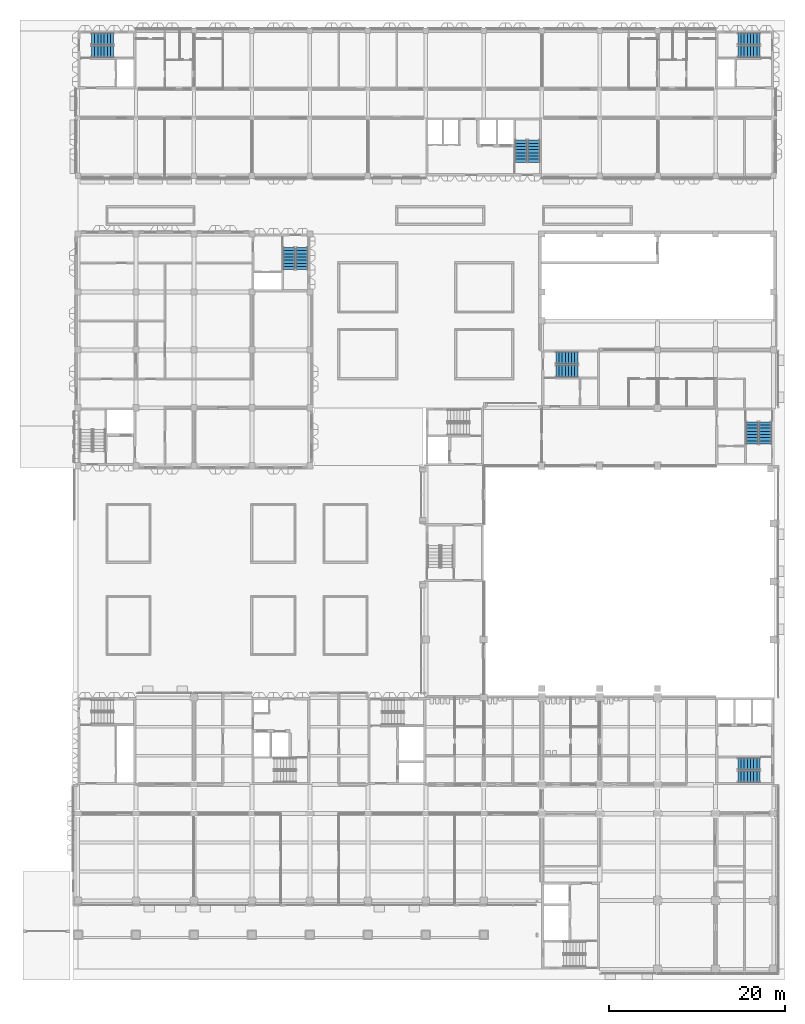
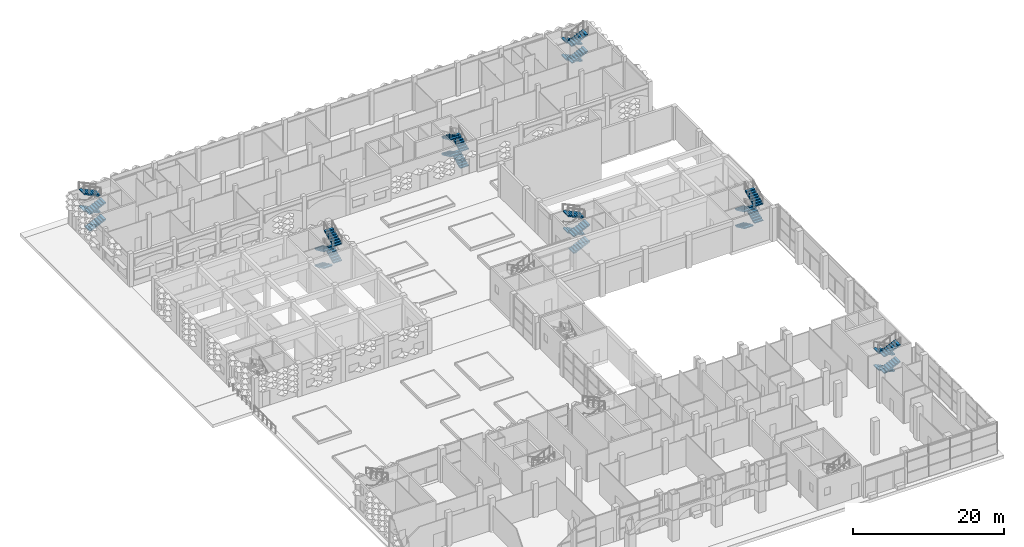
# One storey, part 43 of 85: 28 stair flights, 7 elements without a shape of their own.
"""IFC4 building model written with IfcOpenShell, lengths in metres."""

from ifc_helpers import new_model, si_unit, direction, frame, origin, place, context, subcontext, project, spatial, polyline, outline, extrude, material, type_object, element, aggregate, save


model = new_model("IFC4")

# Units and contexts
model_context = context("Model", 3, precision=1e-05, world=origin(), true_north=direction((0.0, 1.0)))
body_context = subcontext(model_context, "Body", "Model", "MODEL_VIEW")
ifc_project = project(units=[si_unit("LENGTHUNIT", "METRE"), si_unit("AREAUNIT", "SQUARE_METRE"), si_unit("VOLUMEUNIT", "CUBIC_METRE"), si_unit("PLANEANGLEUNIT", "RADIAN"), si_unit("MASSUNIT", "GRAM", prefix="KILO")], contexts=[model_context])

# Site, building, storey
site_placement = place(None, origin())
site = spatial("IfcSite", under=ifc_project, at=site_placement, CompositionType="ELEMENT")
building_placement = place(site_placement, origin())
building = spatial("IfcBuilding", under=site, at=building_placement, Name="Lantern Court Research Institute", CompositionType="ELEMENT")
storey_placement = place(building_placement, origin())
storey = spatial("IfcBuildingStorey", under=building, at=storey_placement, Name="L00", CompositionType="ELEMENT", Elevation=0.0)

# Stair, stair flights
ifc_material_1 = material(Name="Concrete C40/50", Category="concrete")
stair_type_1 = type_object("IfcStairType", Name="RC half-turn stair 1300 wide, 5400 rise, 6100 shaft", PredefinedType="HALF_TURN_STAIR", material=ifc_material_1)
stair_1_placement = place(storey_placement, origin())
stair_1 = element("IfcStair", 1, at=stair_1_placement, inside=storey, type_object=stair_type_1, Name="L00 stair ST-T2", PredefinedType="HALF_TURN_STAIR")
ifc_material_2 = material(Name="Concrete C40/50", Category="concrete")
stair_flight_type_1 = type_object("IfcStairFlightType", Name="RC stair flight 1300 wide, 8 risers of 169, going 360", PredefinedType="STRAIGHT", material=ifc_material_2)
stair_flight_1_placement = place(storey_placement, frame((77.64990234375, 15.550048828125, 0.0), z_axis=(0.0, 0.0, 1.0), x_axis=(-1.0, 0.0, 0.0)))
stair_flight_1 = element("IfcStairFlight", 2, at=stair_flight_1_placement, type_object=stair_flight_type_1, Name="ST-T2 flight 1", NumberOfRisers=8, NumberOfTreads=7, PredefinedType="STRAIGHT", RiserHeight=0.16875, TreadLength=0.36, context=body_context, shape_type="SweptSolid", body=[
    extrude(outline(polyline([(0.0, 0.0), (0.0, 0.168701171875), (0.360107421875, 0.168701171875), (0.360107421875, 0.33740234375), (0.719970703125, 0.33740234375), (0.719970703125, 0.50634765625), (1.080078125, 0.50634765625), (1.080078125, 0.675048828125), (1.43994140625, 0.675048828125), (1.43994140625, 0.84375), (1.800048828125, 0.84375), (1.800048828125, 1.012451171875), (2.159912109375, 1.012451171875), (2.159912109375, 1.18115234375), (2.52001953125, 1.18115234375), (2.52001953125, 1.35009765625), (2.52001953125, 1.015625), (0.353271484375, 0.0), (0.0, 0.0)])), frame((0.0, 0.64990234375, 0.0), z_axis=(0.0, -1.0, 0.0), x_axis=(1.0, 0.0, 0.0)), (0.0, 0.0, 1.0), 1.300048828125),
])
stair_flight_2_placement = place(storey_placement, frame((75.1298828125, 14.10009765625, 1.35009765625), z_axis=(0.0, 0.0, 1.0), x_axis=(1.0, 0.0, 0.0)))
stair_flight_2 = element("IfcStairFlight", 3, at=stair_flight_2_placement, type_object=stair_flight_type_1, Name="ST-T2 flight 2", NumberOfRisers=8, NumberOfTreads=7, PredefinedType="STRAIGHT", RiserHeight=0.16875, TreadLength=0.36, context=body_context, shape_type="SweptSolid", body=[
    extrude(outline(polyline([(0.0, 0.0), (0.0, 0.168701171875), (0.360107421875, 0.168701171875), (0.360107421875, 0.33740234375), (0.719970703125, 0.33740234375), (0.719970703125, 0.50634765625), (1.080078125, 0.50634765625), (1.080078125, 0.675048828125), (1.43994140625, 0.675048828125), (1.43994140625, 0.84375), (1.800048828125, 0.84375), (1.800048828125, 1.012451171875), (2.159912109375, 1.012451171875), (2.159912109375, 1.18115234375), (2.52001953125, 1.18115234375), (2.52001953125, 1.35009765625), (2.52001953125, 1.015625), (0.353271484375, 0.0), (0.0, 0.0)])), frame((0.0, 0.64990234375, 0.0), z_axis=(0.0, -1.0, 0.0), x_axis=(1.0, 0.0, 0.0)), (0.0, 0.0, 1.0), 1.300048828125),
])
stair_flight_3_placement = place(storey_placement, frame((77.64990234375, 15.550048828125, 2.699951171875), z_axis=(0.0, 0.0, 1.0), x_axis=(-1.0, 0.0, 0.0)))
stair_flight_3 = element("IfcStairFlight", 4, at=stair_flight_3_placement, type_object=stair_flight_type_1, Name="ST-T2 flight 3", NumberOfRisers=8, NumberOfTreads=7, PredefinedType="STRAIGHT", RiserHeight=0.16875, TreadLength=0.36, context=body_context, shape_type="SweptSolid", body=[
    extrude(outline(polyline([(0.0, 0.0), (0.0, 0.168701171875), (0.360107421875, 0.168701171875), (0.360107421875, 0.33740234375), (0.719970703125, 0.33740234375), (0.719970703125, 0.50634765625), (1.080078125, 0.50634765625), (1.080078125, 0.675048828125), (1.43994140625, 0.675048828125), (1.43994140625, 0.84375), (1.800048828125, 0.84375), (1.800048828125, 1.012451171875), (2.159912109375, 1.012451171875), (2.159912109375, 1.18115234375), (2.52001953125, 1.18115234375), (2.52001953125, 1.35009765625), (2.52001953125, 1.015625), (0.353271484375, 0.0), (0.0, 0.0)])), frame((0.0, 0.64990234375, 0.0), z_axis=(0.0, -1.0, 0.0), x_axis=(1.0, 0.0, 0.0)), (0.0, 0.0, 1.0), 1.300048828125),
])
stair_flight_4_placement = place(storey_placement, frame((75.1298828125, 14.10009765625, 4.050048828125), z_axis=(0.0, 0.0, 1.0), x_axis=(1.0, 0.0, 0.0)))
stair_flight_4 = element("IfcStairFlight", 5, at=stair_flight_4_placement, type_object=stair_flight_type_1, Name="ST-T2 flight 4", NumberOfRisers=8, NumberOfTreads=7, PredefinedType="STRAIGHT", RiserHeight=0.16875, TreadLength=0.36, context=body_context, shape_type="SweptSolid", body=[
    extrude(outline(polyline([(0.0, 0.0), (0.0, 0.168701171875), (0.360107421875, 0.168701171875), (0.360107421875, 0.33740234375), (0.719970703125, 0.33740234375), (0.719970703125, 0.50634765625), (1.080078125, 0.50634765625), (1.080078125, 0.675048828125), (1.43994140625, 0.675048828125), (1.43994140625, 0.84375), (1.800048828125, 0.84375), (1.800048828125, 1.012451171875), (2.159912109375, 1.012451171875), (2.159912109375, 1.18115234375), (2.52001953125, 1.18115234375), (2.52001953125, 1.35009765625), (2.52001953125, 1.015625), (0.353271484375, 0.0), (0.0, 0.0)])), frame((0.0, 0.64990234375, 0.0), z_axis=(0.0, -1.0, 0.0), x_axis=(1.0, 0.0, 0.0)), (0.0, 0.0, 1.0), 1.300048828125),
])
aggregate(stair_1, [stair_flight_1, stair_flight_2, stair_flight_3, stair_flight_4])

stair_2_placement = place(storey_placement, origin())
stair_2 = element("IfcStair", 6, at=stair_2_placement, inside=storey, type_object=stair_type_1, Name="L00 stair ST-W1", PredefinedType="HALF_TURN_STAIR")
stair_flight_5_placement = place(storey_placement, frame((1.550048828125, 96.64990234375, 0.0), z_axis=(0.0, 0.0, 1.0), x_axis=(1.0, 0.0, 0.0)))
stair_flight_5 = element("IfcStairFlight", 7, at=stair_flight_5_placement, type_object=stair_flight_type_1, Name="ST-W1 flight 1", NumberOfRisers=8, NumberOfTreads=7, PredefinedType="STRAIGHT", RiserHeight=0.16875, TreadLength=0.36, context=body_context, shape_type="SweptSolid", body=[
    extrude(outline(polyline([(0.0, 0.0), (0.0, 0.168701171875), (0.360107421875, 0.168701171875), (0.360107421875, 0.33740234375), (0.719970703125, 0.33740234375), (0.719970703125, 0.50634765625), (1.080078125, 0.50634765625), (1.080078125, 0.675048828125), (1.43994140625, 0.675048828125), (1.43994140625, 0.84375), (1.800048828125, 0.84375), (1.800048828125, 1.012451171875), (2.159912109375, 1.012451171875), (2.159912109375, 1.18115234375), (2.52001953125, 1.18115234375), (2.52001953125, 1.35009765625), (2.52001953125, 1.015625), (0.353271484375, 0.0), (0.0, 0.0)])), frame((0.0, 0.64990234375, 0.0), z_axis=(0.0, -1.0, 0.0), x_axis=(1.0, 0.0, 0.0)), (0.0, 0.0, 1.0), 1.300048828125),
])
stair_flight_6_placement = place(storey_placement, frame((4.070068359375, 98.10009765625, 1.35009765625), z_axis=(0.0, 0.0, 1.0), x_axis=(-1.0, 0.0, 0.0)))
stair_flight_6 = element("IfcStairFlight", 8, at=stair_flight_6_placement, type_object=stair_flight_type_1, Name="ST-W1 flight 2", NumberOfRisers=8, NumberOfTreads=7, PredefinedType="STRAIGHT", RiserHeight=0.16875, TreadLength=0.36, context=body_context, shape_type="SweptSolid", body=[
    extrude(outline(polyline([(0.0, 0.0), (0.0, 0.168701171875), (0.360107421875, 0.168701171875), (0.360107421875, 0.33740234375), (0.719970703125, 0.33740234375), (0.719970703125, 0.50634765625), (1.080078125, 0.50634765625), (1.080078125, 0.675048828125), (1.43994140625, 0.675048828125), (1.43994140625, 0.84375), (1.800048828125, 0.84375), (1.800048828125, 1.012451171875), (2.159912109375, 1.012451171875), (2.159912109375, 1.18115234375), (2.52001953125, 1.18115234375), (2.52001953125, 1.35009765625), (2.52001953125, 1.015625), (0.353271484375, 0.0), (0.0, 0.0)])), frame((0.0, 0.64990234375, 0.0), z_axis=(0.0, -1.0, 0.0), x_axis=(1.0, 0.0, 0.0)), (0.0, 0.0, 1.0), 1.300048828125),
])
stair_flight_7_placement = place(storey_placement, frame((1.550048828125, 96.64990234375, 2.699951171875), z_axis=(0.0, 0.0, 1.0), x_axis=(1.0, 0.0, 0.0)))
stair_flight_7 = element("IfcStairFlight", 9, at=stair_flight_7_placement, type_object=stair_flight_type_1, Name="ST-W1 flight 3", NumberOfRisers=8, NumberOfTreads=7, PredefinedType="STRAIGHT", RiserHeight=0.16875, TreadLength=0.36, context=body_context, shape_type="SweptSolid", body=[
    extrude(outline(polyline([(0.0, 0.0), (0.0, 0.168701171875), (0.360107421875, 0.168701171875), (0.360107421875, 0.33740234375), (0.719970703125, 0.33740234375), (0.719970703125, 0.50634765625), (1.080078125, 0.50634765625), (1.080078125, 0.675048828125), (1.43994140625, 0.675048828125), (1.43994140625, 0.84375), (1.800048828125, 0.84375), (1.800048828125, 1.012451171875), (2.159912109375, 1.012451171875), (2.159912109375, 1.18115234375), (2.52001953125, 1.18115234375), (2.52001953125, 1.35009765625), (2.52001953125, 1.015625), (0.353271484375, 0.0), (0.0, 0.0)])), frame((0.0, 0.64990234375, 0.0), z_axis=(0.0, -1.0, 0.0), x_axis=(1.0, 0.0, 0.0)), (0.0, 0.0, 1.0), 1.300048828125),
])
stair_flight_8_placement = place(storey_placement, frame((4.070068359375, 98.10009765625, 4.050048828125), z_axis=(0.0, 0.0, 1.0), x_axis=(-1.0, 0.0, 0.0)))
stair_flight_8 = element("IfcStairFlight", 10, at=stair_flight_8_placement, type_object=stair_flight_type_1, Name="ST-W1 flight 4", NumberOfRisers=8, NumberOfTreads=7, PredefinedType="STRAIGHT", RiserHeight=0.16875, TreadLength=0.36, context=body_context, shape_type="SweptSolid", body=[
    extrude(outline(polyline([(0.0, 0.0), (0.0, 0.168701171875), (0.360107421875, 0.168701171875), (0.360107421875, 0.33740234375), (0.719970703125, 0.33740234375), (0.719970703125, 0.50634765625), (1.080078125, 0.50634765625), (1.080078125, 0.675048828125), (1.43994140625, 0.675048828125), (1.43994140625, 0.84375), (1.800048828125, 0.84375), (1.800048828125, 1.012451171875), (2.159912109375, 1.012451171875), (2.159912109375, 1.18115234375), (2.52001953125, 1.18115234375), (2.52001953125, 1.35009765625), (2.52001953125, 1.015625), (0.353271484375, 0.0), (0.0, 0.0)])), frame((0.0, 0.64990234375, 0.0), z_axis=(0.0, -1.0, 0.0), x_axis=(1.0, 0.0, 0.0)), (0.0, 0.0, 1.0), 1.300048828125),
])
aggregate(stair_2, [stair_flight_5, stair_flight_6, stair_flight_7, stair_flight_8])

stair_3_placement = place(storey_placement, origin())
stair_3 = element("IfcStair", 11, at=stair_3_placement, inside=storey, type_object=stair_type_1, Name="L00 stair ST-W2", PredefinedType="HALF_TURN_STAIR")
stair_flight_9_placement = place(storey_placement, frame((51.89990234375, 84.050048828125, 0.0), z_axis=(0.0, 0.0, 1.0), x_axis=(0.0, 1.0, 0.0)))
stair_flight_9 = element("IfcStairFlight", 12, at=stair_flight_9_placement, type_object=stair_flight_type_1, Name="ST-W2 flight 1", NumberOfRisers=8, NumberOfTreads=7, PredefinedType="STRAIGHT", RiserHeight=0.16875, TreadLength=0.36, context=body_context, shape_type="SweptSolid", body=[
    extrude(outline(polyline([(0.0, 0.0), (0.0, 0.168701171875), (0.360107421875, 0.168701171875), (0.360107421875, 0.33740234375), (0.719970703125, 0.33740234375), (0.719970703125, 0.50634765625), (1.080078125, 0.50634765625), (1.080078125, 0.675048828125), (1.43994140625, 0.675048828125), (1.43994140625, 0.84375), (1.800048828125, 0.84375), (1.800048828125, 1.012451171875), (2.159912109375, 1.012451171875), (2.159912109375, 1.18115234375), (2.52001953125, 1.18115234375), (2.52001953125, 1.35009765625), (2.52001953125, 1.015625), (0.353271484375, 0.0), (0.0, 0.0)])), frame((0.0, 0.64990234375, 0.0), z_axis=(0.0, -1.0, 0.0), x_axis=(1.0, 0.0, 0.0)), (0.0, 0.0, 1.0), 1.300048828125),
])
stair_flight_10_placement = place(storey_placement, frame((50.449951171875, 86.570068359375, 1.35009765625), z_axis=(0.0, 0.0, 1.0), x_axis=(0.0, -1.0, 0.0)))
stair_flight_10 = element("IfcStairFlight", 13, at=stair_flight_10_placement, type_object=stair_flight_type_1, Name="ST-W2 flight 2", NumberOfRisers=8, NumberOfTreads=7, PredefinedType="STRAIGHT", RiserHeight=0.16875, TreadLength=0.36, context=body_context, shape_type="SweptSolid", body=[
    extrude(outline(polyline([(0.0, 0.0), (0.0, 0.168701171875), (0.360107421875, 0.168701171875), (0.360107421875, 0.33740234375), (0.719970703125, 0.33740234375), (0.719970703125, 0.50634765625), (1.080078125, 0.50634765625), (1.080078125, 0.675048828125), (1.43994140625, 0.675048828125), (1.43994140625, 0.84375), (1.800048828125, 0.84375), (1.800048828125, 1.012451171875), (2.159912109375, 1.012451171875), (2.159912109375, 1.18115234375), (2.52001953125, 1.18115234375), (2.52001953125, 1.35009765625), (2.52001953125, 1.015625), (0.353271484375, 0.0), (0.0, 0.0)])), frame((0.0, 0.64990234375, 0.0), z_axis=(0.0, -1.0, 0.0), x_axis=(1.0, 0.0, 0.0)), (0.0, 0.0, 1.0), 1.300048828125),
])
stair_flight_11_placement = place(storey_placement, frame((51.89990234375, 84.050048828125, 2.699951171875), z_axis=(0.0, 0.0, 1.0), x_axis=(0.0, 1.0, 0.0)))
stair_flight_11 = element("IfcStairFlight", 14, at=stair_flight_11_placement, type_object=stair_flight_type_1, Name="ST-W2 flight 3", NumberOfRisers=8, NumberOfTreads=7, PredefinedType="STRAIGHT", RiserHeight=0.16875, TreadLength=0.36, context=body_context, shape_type="SweptSolid", body=[
    extrude(outline(polyline([(0.0, 0.0), (0.0, 0.168701171875), (0.360107421875, 0.168701171875), (0.360107421875, 0.33740234375), (0.719970703125, 0.33740234375), (0.719970703125, 0.50634765625), (1.080078125, 0.50634765625), (1.080078125, 0.675048828125), (1.43994140625, 0.675048828125), (1.43994140625, 0.84375), (1.800048828125, 0.84375), (1.800048828125, 1.012451171875), (2.159912109375, 1.012451171875), (2.159912109375, 1.18115234375), (2.52001953125, 1.18115234375), (2.52001953125, 1.35009765625), (2.52001953125, 1.015625), (0.353271484375, 0.0), (0.0, 0.0)])), frame((0.0, 0.64990234375, 0.0), z_axis=(0.0, -1.0, 0.0), x_axis=(1.0, 0.0, 0.0)), (0.0, 0.0, 1.0), 1.300048828125),
])
stair_flight_12_placement = place(storey_placement, frame((50.449951171875, 86.570068359375, 4.050048828125), z_axis=(0.0, 0.0, 1.0), x_axis=(0.0, -1.0, 0.0)))
stair_flight_12 = element("IfcStairFlight", 15, at=stair_flight_12_placement, type_object=stair_flight_type_1, Name="ST-W2 flight 4", NumberOfRisers=8, NumberOfTreads=7, PredefinedType="STRAIGHT", RiserHeight=0.16875, TreadLength=0.36, context=body_context, shape_type="SweptSolid", body=[
    extrude(outline(polyline([(0.0, 0.0), (0.0, 0.168701171875), (0.360107421875, 0.168701171875), (0.360107421875, 0.33740234375), (0.719970703125, 0.33740234375), (0.719970703125, 0.50634765625), (1.080078125, 0.50634765625), (1.080078125, 0.675048828125), (1.43994140625, 0.675048828125), (1.43994140625, 0.84375), (1.800048828125, 0.84375), (1.800048828125, 1.012451171875), (2.159912109375, 1.012451171875), (2.159912109375, 1.18115234375), (2.52001953125, 1.18115234375), (2.52001953125, 1.35009765625), (2.52001953125, 1.015625), (0.353271484375, 0.0), (0.0, 0.0)])), frame((0.0, 0.64990234375, 0.0), z_axis=(0.0, -1.0, 0.0), x_axis=(1.0, 0.0, 0.0)), (0.0, 0.0, 1.0), 1.300048828125),
])
aggregate(stair_3, [stair_flight_9, stair_flight_10, stair_flight_11, stair_flight_12])

stair_4_placement = place(storey_placement, origin())
stair_4 = element("IfcStair", 16, at=stair_4_placement, inside=storey, type_object=stair_type_1, Name="L00 stair ST-W3", PredefinedType="HALF_TURN_STAIR")
stair_flight_13_placement = place(storey_placement, frame((77.64990234375, 98.10009765625, 0.0), z_axis=(0.0, 0.0, 1.0), x_axis=(-1.0, 0.0, 0.0)))
stair_flight_13 = element("IfcStairFlight", 17, at=stair_flight_13_placement, type_object=stair_flight_type_1, Name="ST-W3 flight 1", NumberOfRisers=8, NumberOfTreads=7, PredefinedType="STRAIGHT", RiserHeight=0.16875, TreadLength=0.36, context=body_context, shape_type="SweptSolid", body=[
    extrude(outline(polyline([(0.0, 0.0), (0.0, 0.168701171875), (0.360107421875, 0.168701171875), (0.360107421875, 0.33740234375), (0.719970703125, 0.33740234375), (0.719970703125, 0.50634765625), (1.080078125, 0.50634765625), (1.080078125, 0.675048828125), (1.43994140625, 0.675048828125), (1.43994140625, 0.84375), (1.800048828125, 0.84375), (1.800048828125, 1.012451171875), (2.159912109375, 1.012451171875), (2.159912109375, 1.18115234375), (2.52001953125, 1.18115234375), (2.52001953125, 1.35009765625), (2.52001953125, 1.015625), (0.353271484375, 0.0), (0.0, 0.0)])), frame((0.0, 0.64990234375, 0.0), z_axis=(0.0, -1.0, 0.0), x_axis=(1.0, 0.0, 0.0)), (0.0, 0.0, 1.0), 1.300048828125),
])
stair_flight_14_placement = place(storey_placement, frame((75.1298828125, 96.64990234375, 1.35009765625), z_axis=(0.0, 0.0, 1.0), x_axis=(1.0, 0.0, 0.0)))
stair_flight_14 = element("IfcStairFlight", 18, at=stair_flight_14_placement, type_object=stair_flight_type_1, Name="ST-W3 flight 2", NumberOfRisers=8, NumberOfTreads=7, PredefinedType="STRAIGHT", RiserHeight=0.16875, TreadLength=0.36, context=body_context, shape_type="SweptSolid", body=[
    extrude(outline(polyline([(0.0, 0.0), (0.0, 0.168701171875), (0.360107421875, 0.168701171875), (0.360107421875, 0.33740234375), (0.719970703125, 0.33740234375), (0.719970703125, 0.50634765625), (1.080078125, 0.50634765625), (1.080078125, 0.675048828125), (1.43994140625, 0.675048828125), (1.43994140625, 0.84375), (1.800048828125, 0.84375), (1.800048828125, 1.012451171875), (2.159912109375, 1.012451171875), (2.159912109375, 1.18115234375), (2.52001953125, 1.18115234375), (2.52001953125, 1.35009765625), (2.52001953125, 1.015625), (0.353271484375, 0.0), (0.0, 0.0)])), frame((0.0, 0.64990234375, 0.0), z_axis=(0.0, -1.0, 0.0), x_axis=(1.0, 0.0, 0.0)), (0.0, 0.0, 1.0), 1.300048828125),
])
stair_flight_15_placement = place(storey_placement, frame((77.64990234375, 98.10009765625, 2.699951171875), z_axis=(0.0, 0.0, 1.0), x_axis=(-1.0, 0.0, 0.0)))
stair_flight_15 = element("IfcStairFlight", 19, at=stair_flight_15_placement, type_object=stair_flight_type_1, Name="ST-W3 flight 3", NumberOfRisers=8, NumberOfTreads=7, PredefinedType="STRAIGHT", RiserHeight=0.16875, TreadLength=0.36, context=body_context, shape_type="SweptSolid", body=[
    extrude(outline(polyline([(0.0, 0.0), (0.0, 0.168701171875), (0.360107421875, 0.168701171875), (0.360107421875, 0.33740234375), (0.719970703125, 0.33740234375), (0.719970703125, 0.50634765625), (1.080078125, 0.50634765625), (1.080078125, 0.675048828125), (1.43994140625, 0.675048828125), (1.43994140625, 0.84375), (1.800048828125, 0.84375), (1.800048828125, 1.012451171875), (2.159912109375, 1.012451171875), (2.159912109375, 1.18115234375), (2.52001953125, 1.18115234375), (2.52001953125, 1.35009765625), (2.52001953125, 1.015625), (0.353271484375, 0.0), (0.0, 0.0)])), frame((0.0, 0.64990234375, 0.0), z_axis=(0.0, -1.0, 0.0), x_axis=(1.0, 0.0, 0.0)), (0.0, 0.0, 1.0), 1.300048828125),
])
stair_flight_16_placement = place(storey_placement, frame((75.1298828125, 96.64990234375, 4.050048828125), z_axis=(0.0, 0.0, 1.0), x_axis=(1.0, 0.0, 0.0)))
stair_flight_16 = element("IfcStairFlight", 20, at=stair_flight_16_placement, type_object=stair_flight_type_1, Name="ST-W3 flight 4", NumberOfRisers=8, NumberOfTreads=7, PredefinedType="STRAIGHT", RiserHeight=0.16875, TreadLength=0.36, context=body_context, shape_type="SweptSolid", body=[
    extrude(outline(polyline([(0.0, 0.0), (0.0, 0.168701171875), (0.360107421875, 0.168701171875), (0.360107421875, 0.33740234375), (0.719970703125, 0.33740234375), (0.719970703125, 0.50634765625), (1.080078125, 0.50634765625), (1.080078125, 0.675048828125), (1.43994140625, 0.675048828125), (1.43994140625, 0.84375), (1.800048828125, 0.84375), (1.800048828125, 1.012451171875), (2.159912109375, 1.012451171875), (2.159912109375, 1.18115234375), (2.52001953125, 1.18115234375), (2.52001953125, 1.35009765625), (2.52001953125, 1.015625), (0.353271484375, 0.0), (0.0, 0.0)])), frame((0.0, 0.64990234375, 0.0), z_axis=(0.0, -1.0, 0.0), x_axis=(1.0, 0.0, 0.0)), (0.0, 0.0, 1.0), 1.300048828125),
])
aggregate(stair_4, [stair_flight_13, stair_flight_14, stair_flight_15, stair_flight_16])

stair_5_placement = place(storey_placement, origin())
stair_5 = element("IfcStair", 21, at=stair_5_placement, inside=storey, type_object=stair_type_1, Name="L00 stair ST-C2", PredefinedType="HALF_TURN_STAIR")
stair_flight_17_placement = place(storey_placement, frame((24.050048828125, 74.35009765625, 0.0), z_axis=(0.0, 0.0, 1.0), x_axis=(0.0, -1.0, 0.0)))
stair_flight_17 = element("IfcStairFlight", 22, at=stair_flight_17_placement, type_object=stair_flight_type_1, Name="ST-C2 flight 1", NumberOfRisers=8, NumberOfTreads=7, PredefinedType="STRAIGHT", RiserHeight=0.16875, TreadLength=0.36, context=body_context, shape_type="SweptSolid", body=[
    extrude(outline(polyline([(0.0, 0.0), (0.0, 0.168701171875), (0.360107421875, 0.168701171875), (0.360107421875, 0.33740234375), (0.719970703125, 0.33740234375), (0.719970703125, 0.50634765625), (1.080078125, 0.50634765625), (1.080078125, 0.675048828125), (1.43994140625, 0.675048828125), (1.43994140625, 0.84375), (1.800048828125, 0.84375), (1.800048828125, 1.012451171875), (2.159912109375, 1.012451171875), (2.159912109375, 1.18115234375), (2.52001953125, 1.18115234375), (2.52001953125, 1.35009765625), (2.52001953125, 1.015625), (0.353271484375, 0.0), (0.0, 0.0)])), frame((0.0, 0.64990234375, 0.0), z_axis=(0.0, -1.0, 0.0), x_axis=(1.0, 0.0, 0.0)), (0.0, 0.0, 1.0), 1.300048828125),
])
stair_flight_18_placement = place(storey_placement, frame((25.5, 71.830078125, 1.35009765625), z_axis=(0.0, 0.0, 1.0), x_axis=(0.0, 1.0, 0.0)))
stair_flight_18 = element("IfcStairFlight", 23, at=stair_flight_18_placement, type_object=stair_flight_type_1, Name="ST-C2 flight 2", NumberOfRisers=8, NumberOfTreads=7, PredefinedType="STRAIGHT", RiserHeight=0.16875, TreadLength=0.36, context=body_context, shape_type="SweptSolid", body=[
    extrude(outline(polyline([(0.0, 0.0), (0.0, 0.168701171875), (0.360107421875, 0.168701171875), (0.360107421875, 0.33740234375), (0.719970703125, 0.33740234375), (0.719970703125, 0.50634765625), (1.080078125, 0.50634765625), (1.080078125, 0.675048828125), (1.43994140625, 0.675048828125), (1.43994140625, 0.84375), (1.800048828125, 0.84375), (1.800048828125, 1.012451171875), (2.159912109375, 1.012451171875), (2.159912109375, 1.18115234375), (2.52001953125, 1.18115234375), (2.52001953125, 1.35009765625), (2.52001953125, 1.015625), (0.353271484375, 0.0), (0.0, 0.0)])), frame((0.0, 0.64990234375, 0.0), z_axis=(0.0, -1.0, 0.0), x_axis=(1.0, 0.0, 0.0)), (0.0, 0.0, 1.0), 1.300048828125),
])
stair_flight_19_placement = place(storey_placement, frame((24.050048828125, 74.35009765625, 2.699951171875), z_axis=(0.0, 0.0, 1.0), x_axis=(0.0, -1.0, 0.0)))
stair_flight_19 = element("IfcStairFlight", 24, at=stair_flight_19_placement, type_object=stair_flight_type_1, Name="ST-C2 flight 3", NumberOfRisers=8, NumberOfTreads=7, PredefinedType="STRAIGHT", RiserHeight=0.16875, TreadLength=0.36, context=body_context, shape_type="SweptSolid", body=[
    extrude(outline(polyline([(0.0, 0.0), (0.0, 0.168701171875), (0.360107421875, 0.168701171875), (0.360107421875, 0.33740234375), (0.719970703125, 0.33740234375), (0.719970703125, 0.50634765625), (1.080078125, 0.50634765625), (1.080078125, 0.675048828125), (1.43994140625, 0.675048828125), (1.43994140625, 0.84375), (1.800048828125, 0.84375), (1.800048828125, 1.012451171875), (2.159912109375, 1.012451171875), (2.159912109375, 1.18115234375), (2.52001953125, 1.18115234375), (2.52001953125, 1.35009765625), (2.52001953125, 1.015625), (0.353271484375, 0.0), (0.0, 0.0)])), frame((0.0, 0.64990234375, 0.0), z_axis=(0.0, -1.0, 0.0), x_axis=(1.0, 0.0, 0.0)), (0.0, 0.0, 1.0), 1.300048828125),
])
stair_flight_20_placement = place(storey_placement, frame((25.5, 71.830078125, 4.050048828125), z_axis=(0.0, 0.0, 1.0), x_axis=(0.0, 1.0, 0.0)))
stair_flight_20 = element("IfcStairFlight", 25, at=stair_flight_20_placement, type_object=stair_flight_type_1, Name="ST-C2 flight 4", NumberOfRisers=8, NumberOfTreads=7, PredefinedType="STRAIGHT", RiserHeight=0.16875, TreadLength=0.36, context=body_context, shape_type="SweptSolid", body=[
    extrude(outline(polyline([(0.0, 0.0), (0.0, 0.168701171875), (0.360107421875, 0.168701171875), (0.360107421875, 0.33740234375), (0.719970703125, 0.33740234375), (0.719970703125, 0.50634765625), (1.080078125, 0.50634765625), (1.080078125, 0.675048828125), (1.43994140625, 0.675048828125), (1.43994140625, 0.84375), (1.800048828125, 0.84375), (1.800048828125, 1.012451171875), (2.159912109375, 1.012451171875), (2.159912109375, 1.18115234375), (2.52001953125, 1.18115234375), (2.52001953125, 1.35009765625), (2.52001953125, 1.015625), (0.353271484375, 0.0), (0.0, 0.0)])), frame((0.0, 0.64990234375, 0.0), z_axis=(0.0, -1.0, 0.0), x_axis=(1.0, 0.0, 0.0)), (0.0, 0.0, 1.0), 1.300048828125),
])
aggregate(stair_5, [stair_flight_17, stair_flight_18, stair_flight_19, stair_flight_20])

ifc_material_3 = material(Name="Concrete C40/50", Category="concrete")
stair_type_2 = type_object("IfcStairType", Name="RC half-turn stair 1350 wide, 5400 rise, 6100 shaft", PredefinedType="HALF_TURN_STAIR", material=ifc_material_3)
stair_6_placement = place(storey_placement, origin())
stair_6 = element("IfcStair", 26, at=stair_6_placement, inside=storey, type_object=stair_type_2, Name="L00 stair ST-H2", PredefinedType="HALF_TURN_STAIR")
ifc_material_4 = material(Name="Concrete C40/50", Category="concrete")
stair_flight_type_2 = type_object("IfcStairFlightType", Name="RC stair flight 1350 wide, 8 risers of 169, going 360", PredefinedType="STRAIGHT", material=ifc_material_4)
stair_flight_21_placement = place(storey_placement, frame((76.77490234375, 54.5, 0.0), z_axis=(0.0, 0.0, 1.0), x_axis=(0.0, -1.0, 0.0)))
stair_flight_21 = element("IfcStairFlight", 27, at=stair_flight_21_placement, type_object=stair_flight_type_2, Name="ST-H2 flight 1", NumberOfRisers=8, NumberOfTreads=7, PredefinedType="STRAIGHT", RiserHeight=0.16875, TreadLength=0.36, context=body_context, shape_type="SweptSolid", body=[
    extrude(outline(polyline([(0.0, 0.0), (0.0, 0.168701171875), (0.360107421875, 0.168701171875), (0.360107421875, 0.33740234375), (0.719970703125, 0.33740234375), (0.719970703125, 0.50634765625), (1.080078125, 0.50634765625), (1.080078125, 0.675048828125), (1.43994140625, 0.675048828125), (1.43994140625, 0.84375), (1.800048828125, 0.84375), (1.800048828125, 1.012451171875), (2.159912109375, 1.012451171875), (2.159912109375, 1.18115234375), (2.52001953125, 1.18115234375), (2.52001953125, 1.35009765625), (2.52001953125, 1.015625), (0.353271484375, 0.0), (0.0, 0.0)])), frame((0.0, 0.675048828125, 0.0), z_axis=(0.0, -1.0, 0.0), x_axis=(1.0, 0.0, 0.0)), (0.0, 0.0, 1.0), 1.35009765625),
])
stair_flight_22_placement = place(storey_placement, frame((78.27490234375, 51.97998046875, 1.35009765625), z_axis=(0.0, 0.0, 1.0), x_axis=(0.0, 1.0, 0.0)))
stair_flight_22 = element("IfcStairFlight", 28, at=stair_flight_22_placement, type_object=stair_flight_type_2, Name="ST-H2 flight 2", NumberOfRisers=8, NumberOfTreads=7, PredefinedType="STRAIGHT", RiserHeight=0.16875, TreadLength=0.36, context=body_context, shape_type="SweptSolid", body=[
    extrude(outline(polyline([(0.0, 0.0), (0.0, 0.168701171875), (0.360107421875, 0.168701171875), (0.360107421875, 0.33740234375), (0.719970703125, 0.33740234375), (0.719970703125, 0.50634765625), (1.080078125, 0.50634765625), (1.080078125, 0.675048828125), (1.43994140625, 0.675048828125), (1.43994140625, 0.84375), (1.800048828125, 0.84375), (1.800048828125, 1.012451171875), (2.159912109375, 1.012451171875), (2.159912109375, 1.18115234375), (2.52001953125, 1.18115234375), (2.52001953125, 1.35009765625), (2.52001953125, 1.015625), (0.353271484375, 0.0), (0.0, 0.0)])), frame((0.0, 0.675048828125, 0.0), z_axis=(0.0, -1.0, 0.0), x_axis=(1.0, 0.0, 0.0)), (0.0, 0.0, 1.0), 1.35009765625),
])
stair_flight_23_placement = place(storey_placement, frame((76.77490234375, 54.5, 2.699951171875), z_axis=(0.0, 0.0, 1.0), x_axis=(0.0, -1.0, 0.0)))
stair_flight_23 = element("IfcStairFlight", 29, at=stair_flight_23_placement, type_object=stair_flight_type_2, Name="ST-H2 flight 3", NumberOfRisers=8, NumberOfTreads=7, PredefinedType="STRAIGHT", RiserHeight=0.16875, TreadLength=0.36, context=body_context, shape_type="SweptSolid", body=[
    extrude(outline(polyline([(0.0, 0.0), (0.0, 0.168701171875), (0.360107421875, 0.168701171875), (0.360107421875, 0.33740234375), (0.719970703125, 0.33740234375), (0.719970703125, 0.50634765625), (1.080078125, 0.50634765625), (1.080078125, 0.675048828125), (1.43994140625, 0.675048828125), (1.43994140625, 0.84375), (1.800048828125, 0.84375), (1.800048828125, 1.012451171875), (2.159912109375, 1.012451171875), (2.159912109375, 1.18115234375), (2.52001953125, 1.18115234375), (2.52001953125, 1.35009765625), (2.52001953125, 1.015625), (0.353271484375, 0.0), (0.0, 0.0)])), frame((0.0, 0.675048828125, 0.0), z_axis=(0.0, -1.0, 0.0), x_axis=(1.0, 0.0, 0.0)), (0.0, 0.0, 1.0), 1.35009765625),
])
stair_flight_24_placement = place(storey_placement, frame((78.27490234375, 51.97998046875, 4.050048828125), z_axis=(0.0, 0.0, 1.0), x_axis=(0.0, 1.0, 0.0)))
stair_flight_24 = element("IfcStairFlight", 30, at=stair_flight_24_placement, type_object=stair_flight_type_2, Name="ST-H2 flight 4", NumberOfRisers=8, NumberOfTreads=7, PredefinedType="STRAIGHT", RiserHeight=0.16875, TreadLength=0.36, context=body_context, shape_type="SweptSolid", body=[
    extrude(outline(polyline([(0.0, 0.0), (0.0, 0.168701171875), (0.360107421875, 0.168701171875), (0.360107421875, 0.33740234375), (0.719970703125, 0.33740234375), (0.719970703125, 0.50634765625), (1.080078125, 0.50634765625), (1.080078125, 0.675048828125), (1.43994140625, 0.675048828125), (1.43994140625, 0.84375), (1.800048828125, 0.84375), (1.800048828125, 1.012451171875), (2.159912109375, 1.012451171875), (2.159912109375, 1.18115234375), (2.52001953125, 1.18115234375), (2.52001953125, 1.35009765625), (2.52001953125, 1.015625), (0.353271484375, 0.0), (0.0, 0.0)])), frame((0.0, 0.675048828125, 0.0), z_axis=(0.0, -1.0, 0.0), x_axis=(1.0, 0.0, 0.0)), (0.0, 0.0, 1.0), 1.35009765625),
])
aggregate(stair_6, [stair_flight_21, stair_flight_22, stair_flight_23, stair_flight_24])

stair_7_placement = place(storey_placement, origin())
stair_7 = element("IfcStair", 31, at=stair_7_placement, inside=storey, type_object=stair_type_2, Name="L00 stair ST-L1", PredefinedType="HALF_TURN_STAIR")
stair_flight_25_placement = place(storey_placement, frame((54.39990234375, 60.27490234375, 0.0), z_axis=(0.0, 0.0, 1.0), x_axis=(1.0, 0.0, 0.0)))
stair_flight_25 = element("IfcStairFlight", 32, at=stair_flight_25_placement, type_object=stair_flight_type_2, Name="ST-L1 flight 1", NumberOfRisers=8, NumberOfTreads=7, PredefinedType="STRAIGHT", RiserHeight=0.16875, TreadLength=0.36, context=body_context, shape_type="SweptSolid", body=[
    extrude(outline(polyline([(0.0, 0.0), (0.0, 0.168701171875), (0.360107421875, 0.168701171875), (0.360107421875, 0.33740234375), (0.719970703125, 0.33740234375), (0.719970703125, 0.50634765625), (1.080078125, 0.50634765625), (1.080078125, 0.675048828125), (1.43994140625, 0.675048828125), (1.43994140625, 0.84375), (1.800048828125, 0.84375), (1.800048828125, 1.012451171875), (2.159912109375, 1.012451171875), (2.159912109375, 1.18115234375), (2.52001953125, 1.18115234375), (2.52001953125, 1.35009765625), (2.52001953125, 1.015625), (0.353271484375, 0.0), (0.0, 0.0)])), frame((0.0, 0.675048828125, 0.0), z_axis=(0.0, -1.0, 0.0), x_axis=(1.0, 0.0, 0.0)), (0.0, 0.0, 1.0), 1.35009765625),
])
stair_flight_26_placement = place(storey_placement, frame((56.919921875, 61.77490234375, 1.35009765625), z_axis=(0.0, 0.0, 1.0), x_axis=(-1.0, 0.0, 0.0)))
stair_flight_26 = element("IfcStairFlight", 33, at=stair_flight_26_placement, type_object=stair_flight_type_2, Name="ST-L1 flight 2", NumberOfRisers=8, NumberOfTreads=7, PredefinedType="STRAIGHT", RiserHeight=0.16875, TreadLength=0.36, context=body_context, shape_type="SweptSolid", body=[
    extrude(outline(polyline([(0.0, 0.0), (0.0, 0.168701171875), (0.360107421875, 0.168701171875), (0.360107421875, 0.33740234375), (0.719970703125, 0.33740234375), (0.719970703125, 0.50634765625), (1.080078125, 0.50634765625), (1.080078125, 0.675048828125), (1.43994140625, 0.675048828125), (1.43994140625, 0.84375), (1.800048828125, 0.84375), (1.800048828125, 1.012451171875), (2.159912109375, 1.012451171875), (2.159912109375, 1.18115234375), (2.52001953125, 1.18115234375), (2.52001953125, 1.35009765625), (2.52001953125, 1.015625), (0.353271484375, 0.0), (0.0, 0.0)])), frame((0.0, 0.675048828125, 0.0), z_axis=(0.0, -1.0, 0.0), x_axis=(1.0, 0.0, 0.0)), (0.0, 0.0, 1.0), 1.35009765625),
])
stair_flight_27_placement = place(storey_placement, frame((54.39990234375, 60.27490234375, 2.699951171875), z_axis=(0.0, 0.0, 1.0), x_axis=(1.0, 0.0, 0.0)))
stair_flight_27 = element("IfcStairFlight", 34, at=stair_flight_27_placement, type_object=stair_flight_type_2, Name="ST-L1 flight 3", NumberOfRisers=8, NumberOfTreads=7, PredefinedType="STRAIGHT", RiserHeight=0.16875, TreadLength=0.36, context=body_context, shape_type="SweptSolid", body=[
    extrude(outline(polyline([(0.0, 0.0), (0.0, 0.168701171875), (0.360107421875, 0.168701171875), (0.360107421875, 0.33740234375), (0.719970703125, 0.33740234375), (0.719970703125, 0.50634765625), (1.080078125, 0.50634765625), (1.080078125, 0.675048828125), (1.43994140625, 0.675048828125), (1.43994140625, 0.84375), (1.800048828125, 0.84375), (1.800048828125, 1.012451171875), (2.159912109375, 1.012451171875), (2.159912109375, 1.18115234375), (2.52001953125, 1.18115234375), (2.52001953125, 1.35009765625), (2.52001953125, 1.015625), (0.353271484375, 0.0), (0.0, 0.0)])), frame((0.0, 0.675048828125, 0.0), z_axis=(0.0, -1.0, 0.0), x_axis=(1.0, 0.0, 0.0)), (0.0, 0.0, 1.0), 1.35009765625),
])
stair_flight_28_placement = place(storey_placement, frame((56.919921875, 61.77490234375, 4.050048828125), z_axis=(0.0, 0.0, 1.0), x_axis=(-1.0, 0.0, 0.0)))
stair_flight_28 = element("IfcStairFlight", 35, at=stair_flight_28_placement, type_object=stair_flight_type_2, Name="ST-L1 flight 4", NumberOfRisers=8, NumberOfTreads=7, PredefinedType="STRAIGHT", RiserHeight=0.16875, TreadLength=0.36, context=body_context, shape_type="SweptSolid", body=[
    extrude(outline(polyline([(0.0, 0.0), (0.0, 0.168701171875), (0.360107421875, 0.168701171875), (0.360107421875, 0.33740234375), (0.719970703125, 0.33740234375), (0.719970703125, 0.50634765625), (1.080078125, 0.50634765625), (1.080078125, 0.675048828125), (1.43994140625, 0.675048828125), (1.43994140625, 0.84375), (1.800048828125, 0.84375), (1.800048828125, 1.012451171875), (2.159912109375, 1.012451171875), (2.159912109375, 1.18115234375), (2.52001953125, 1.18115234375), (2.52001953125, 1.35009765625), (2.52001953125, 1.015625), (0.353271484375, 0.0), (0.0, 0.0)])), frame((0.0, 0.675048828125, 0.0), z_axis=(0.0, -1.0, 0.0), x_axis=(1.0, 0.0, 0.0)), (0.0, 0.0, 1.0), 1.35009765625),
])
aggregate(stair_7, [stair_flight_25, stair_flight_26, stair_flight_27, stair_flight_28])

save(model, "model.ifc")
